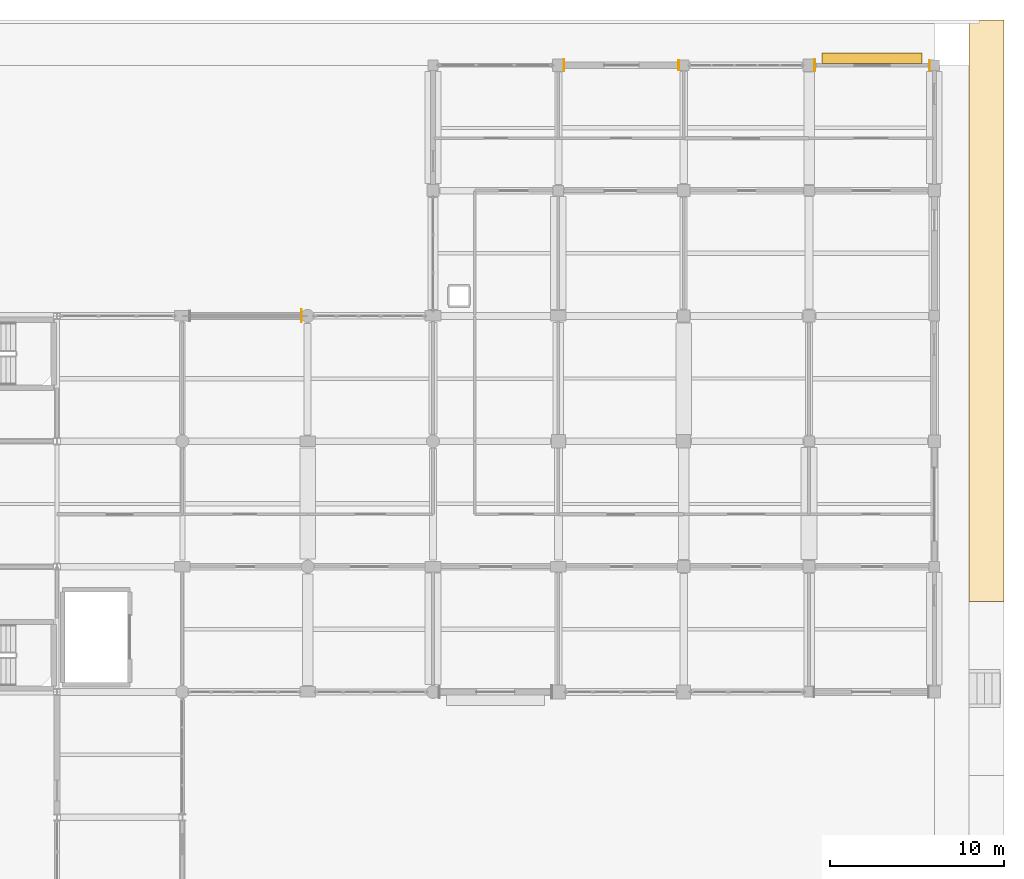
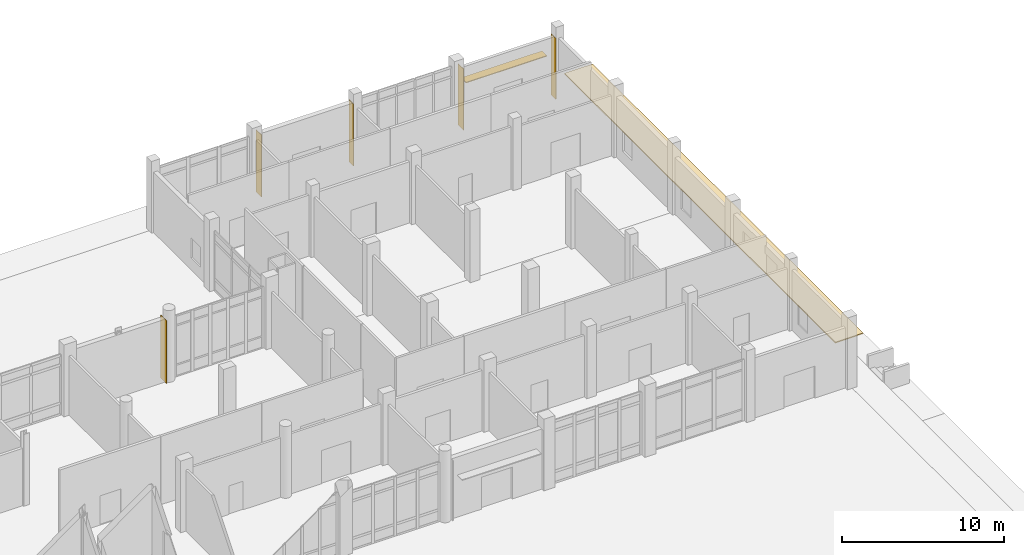
# One storey, part 229 of 229: 6 coverings, 1 shading device.
"""IFC4 building model written with IfcOpenShell, lengths in metres."""

from ifc_helpers import new_model, si_unit, direction, frame, origin, origin_2d, place, context, subcontext, project, spatial, polyline, rectangle, outline, extrude, material, layer, layer_set, type_object, element, save


model = new_model("IFC4")

# Units and contexts
model_context = context("Model", 3, precision=1e-05, world=origin(), true_north=direction((0.0, 1.0)))
body_context = subcontext(model_context, "Body", "Model", "MODEL_VIEW")
ifc_project = project(units=[si_unit("LENGTHUNIT", "METRE"), si_unit("AREAUNIT", "SQUARE_METRE"), si_unit("VOLUMEUNIT", "CUBIC_METRE"), si_unit("PLANEANGLEUNIT", "RADIAN"), si_unit("MASSUNIT", "GRAM", prefix="KILO")], contexts=[model_context])

# Site, building, storey
site_placement = place(None, origin())
site = spatial("IfcSite", under=ifc_project, at=site_placement, CompositionType="ELEMENT")
building_placement = place(site_placement, origin())
building = spatial("IfcBuilding", under=site, at=building_placement, Name="Calvrana Isthmian Art Gallery", CompositionType="ELEMENT")
storey_placement = place(building_placement, origin())
storey = spatial("IfcBuildingStorey", under=building, at=storey_placement, Name="L00", CompositionType="ELEMENT", Elevation=0.0)

# Coverings
ifc_material_1 = material(Name="Polychrome glazed terracotta", Category="masonry")
ifc_layer_1 = layer(ifc_material_1, 0.0400390625, Name="Polychrome glazed terracotta")
ifc_layer_set_1 = layer_set([ifc_layer_1], Name="Polychrome glazed terracotta")
covering_type_1 = type_object("IfcCoveringType", Name="COV-CLAD-TERRA", PredefinedType="CLADDING", material=ifc_layer_set_1)
covering_1_placement = place(storey_placement, origin())
element("IfcCovering", 1, at=covering_1_placement, inside=storey, type_object=covering_type_1, Name="Column pocket weather closure L00-15-13-E", PredefinedType="CLADDING", context=body_context, shape_type="SweptSolid", body=[
    extrude(outline(polyline([(126.824951171875, 98.030029296875), (126.864990234375, 98.030029296875), (126.864990234375, 98.77001953125), (126.824951171875, 98.77001953125), (126.824951171875, 98.030029296875)])), origin(), (0.0, 0.0, 1.0), 4.72412109375),
])
covering_2_placement = place(storey_placement, origin())
element("IfcCovering", 2, at=covering_2_placement, inside=storey, type_object=covering_type_1, Name="Column pocket weather closure L00-18-15-W", PredefinedType="CLADDING", context=body_context, shape_type="SweptSolid", body=[
    extrude(outline(polyline([(141.909912109375, 112.455078125), (141.949951171875, 112.455078125), (141.949951171875, 113.14501953125), (141.909912109375, 113.14501953125), (141.909912109375, 112.455078125)])), origin(), (0.0, 0.0, 1.0), 4.677978515625),
])
covering_3_placement = place(storey_placement, origin())
element("IfcCovering", 3, at=covering_3_placement, inside=storey, type_object=covering_type_1, Name="Column pocket weather closure L00-18-15-E", PredefinedType="CLADDING", context=body_context, shape_type="SweptSolid", body=[
    extrude(outline(polyline([(148.5, 112.5048828125), (148.5400390625, 112.5048828125), (148.5400390625, 113.094970703125), (148.5, 113.094970703125), (148.5, 112.5048828125)])), origin(), (0.0, 0.0, 1.0), 4.677978515625),
])
covering_4_placement = place(storey_placement, origin())
element("IfcCovering", 4, at=covering_4_placement, inside=storey, type_object=covering_type_1, Name="Column pocket weather closure L00-20-15-W", PredefinedType="CLADDING", context=body_context, shape_type="SweptSolid", body=[
    extrude(outline(polyline([(156.31005859375, 112.455078125), (156.35009765625, 112.455078125), (156.35009765625, 113.14501953125), (156.31005859375, 113.14501953125), (156.31005859375, 112.455078125)])), origin(), (0.0, 0.0, 1.0), 4.591064453125),
])
covering_5_placement = place(storey_placement, origin())
element("IfcCovering", 5, at=covering_5_placement, inside=storey, type_object=covering_type_1, Name="Column pocket weather closure L00-20-15-E", PredefinedType="CLADDING", context=body_context, shape_type="SweptSolid", body=[
    extrude(outline(polyline([(162.89990234375, 112.5048828125), (162.93994140625, 112.5048828125), (162.93994140625, 113.094970703125), (162.89990234375, 113.094970703125), (162.89990234375, 112.5048828125)])), origin(), (0.0, 0.0, 1.0), 4.591064453125),
])
ifc_material_2 = material(Name="Pale Isthmian limestone", Category="masonry")
ifc_layer_2 = layer(ifc_material_2, 0.080078125, Name="Pale Isthmian limestone")
ifc_layer_set_2 = layer_set([ifc_layer_2], Name="Pale Isthmian limestone")
covering_type_2 = type_object("IfcCoveringType", Name="COV-SITE-PAVING", PredefinedType="USERDEFINED", material=ifc_layer_set_2)
covering_6_placement = place(storey_placement, frame((0.0, 0.0, -0.679931640625)))
element("IfcCovering", 6, at=covering_6_placement, inside=storey, type_object=covering_type_2, Name="Stepped hillside grade paving bench PAV_E_NORTH", ObjectType="PAVING", PredefinedType="USERDEFINED", context=body_context, shape_type="SweptSolid", body=[
    extrude(outline(polyline([(165.197998046875, 82.0), (167.199951171875, 82.0), (167.199951171875, 115.39990234375), (165.197998046875, 115.39990234375), (165.197998046875, 82.0)])), origin(), (0.0, 0.0, 1.0), 0.079833984375),
])

# Shading device
ifc_material_3 = material(Name="Anodized bronze aluminium 6063-T6", Category="aluminium")
ifc_layer_3 = layer(ifc_material_3, 0.06005859375, Name="Anodized bronze aluminium 6063-T6")
ifc_layer_set_3 = layer_set([ifc_layer_3], Name="Anodized bronze aluminium 6063-T6")
shading_device_type = type_object("IfcShadingDeviceType", Name="SHD-LOUVRE-600", PredefinedType="JALOUSIE", material=ifc_layer_set_3)
shading_device_placement = place(storey_placement, frame((159.625, 113.2080078125, 3.119873046875), z_axis=(0.0, 0.0, 1.0), x_axis=(1.0, 0.0, 0.0)))
element("IfcShadingDevice", 7, at=shading_device_placement, inside=storey, type_object=shading_device_type, Name="Anodized bronze horizontal canopy sunshade LV-07", PredefinedType="JALOUSIE", context=body_context, shape_type="SweptSolid", body=[
    extrude(rectangle(XDim=5.75, YDim=0.60009765625, at=origin_2d()), origin(), (0.0, 0.0, 1.0), 0.06005859375),
])

save(model, "model.ifc")
